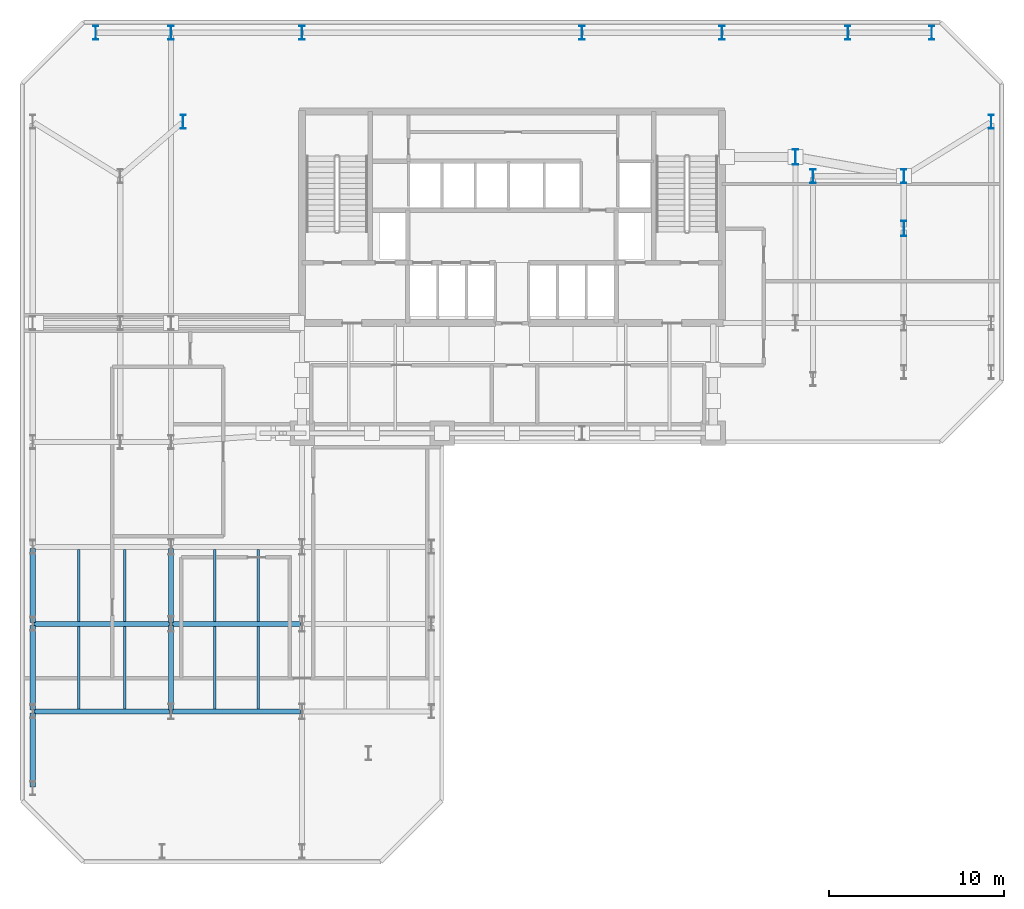
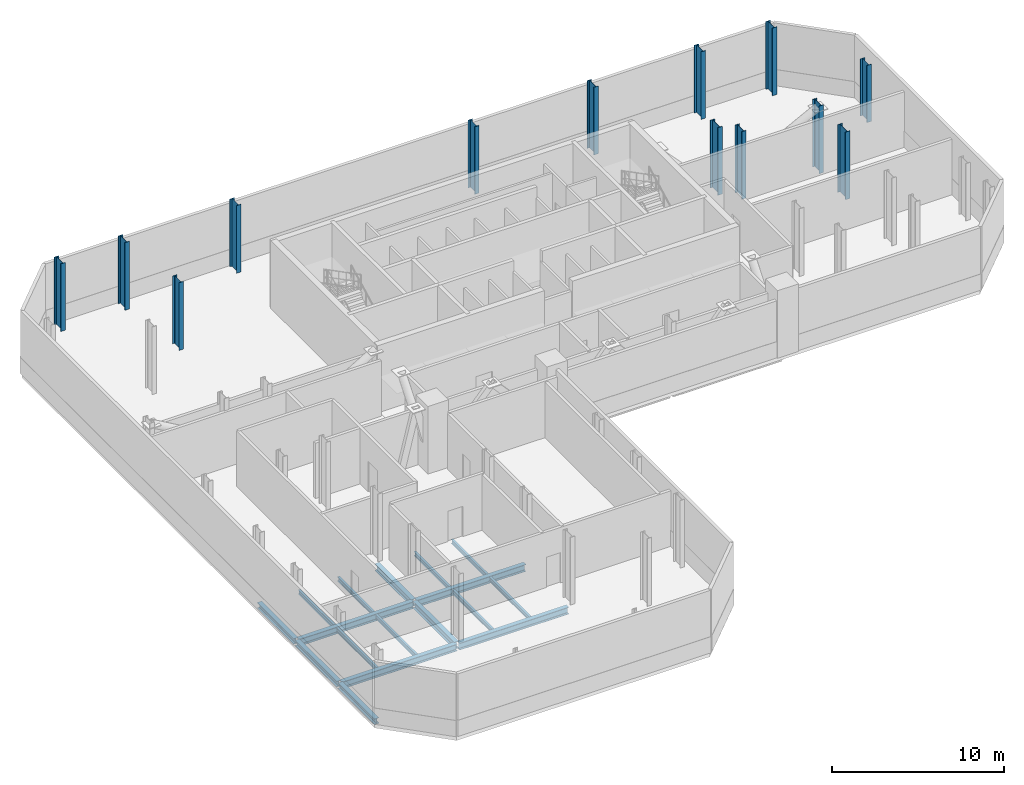
# One storey, part 2 of 8: 17 beams, 13 columns.
"""IFC4 building model written with IfcOpenShell, lengths in metres."""

from ifc_helpers import new_model, si_unit, direction, frame, origin, origin_2d, place, context, subcontext, project, spatial, i_section, extrude, material, material_profile, profile_set, type_object, element, save


model = new_model("IFC4")

# Units and contexts
model_context = context("Model", 3, precision=1e-05, world=origin(), true_north=direction((0.0, 1.0)))
body_context = subcontext(model_context, "Body", "Model", "MODEL_VIEW")
ifc_project = project(units=[si_unit("LENGTHUNIT", "METRE"), si_unit("AREAUNIT", "SQUARE_METRE"), si_unit("VOLUMEUNIT", "CUBIC_METRE"), si_unit("PLANEANGLEUNIT", "RADIAN"), si_unit("MASSUNIT", "GRAM", prefix="KILO")], contexts=[model_context])

# Site, building, storey
site_placement = place(None, origin())
site = spatial("IfcSite", under=ifc_project, at=site_placement, CompositionType="ELEMENT")
building_placement = place(site_placement, origin())
building = spatial("IfcBuilding", under=site, at=building_placement, Name="Catumbela Crestline Tower", CompositionType="ELEMENT")
storey_placement = place(building_placement, frame((0.0, 0.0, 79.8)))
storey = spatial("IfcBuildingStorey", under=building, at=storey_placement, Name="L20", CompositionType="ELEMENT", Elevation=79.8)

# Columns
ifc_material_1 = material(Name="Structural steel S460M", Category="steel")
ifc_material_profile_1 = material_profile(ifc_material_1, i_section(OverallWidth=0.3, OverallDepth=0.8, WebThickness=0.0175, FlangeThickness=0.033, FilletRadius=0.03, at=origin_2d()), Name="HEB 800")
ifc_profile_set_1 = profile_set([ifc_material_profile_1], Name="Structural steel S460M")
column_type_1 = type_object("IfcColumnType", Name="C-ST-HEB800", PredefinedType="COLUMN", material=ifc_profile_set_1)
for number, where, z_axis, x_axis, name in (
    (1, (9.2, 42.3, 0.0), (0.0, 0.0, 1.0), (1.0, 0.0, 0.0), "L20 Column C-08-43 (HEB 800)"),
    (2, (45.2, 39.2, 0.0), (0.0, 0.0, 1.0), (1.0, 0.0, 0.0), "L20 Column C-46-43 (HEB 800)"),
    (3, (4.2, 47.4, 0.0), (0.0, 0.0, 1.0), (1.0, 0.0, 0.0), "L20 Column C-00-48 (HEB 800)"),
    (4, (8.5, 47.4, 0.0), (0.0, 0.0, 1.0), (1.0, 0.0, 0.0), "L20 Column C-08-48 (HEB 800)"),
    (5, (16.0, 47.4, 0.0), (0.0, 0.0, 1.0), (1.0, 0.0, 0.0), "L20 Column C-16-48 (HEB 800)"),
    (6, (32.0, 47.4, 0.0), (0.0, 0.0, 1.0), (1.0, 0.0, 0.0), "L20 Column C-32-48 (HEB 800)"),
    (7, (40.0, 47.4, 0.0), (0.0, 0.0, 1.0), (1.0, 0.0, 0.0), "L20 Column C-40-48 (HEB 800)"),
    (8, (47.2, 47.4, 0.0), (0.0, 0.0, 1.0), (1.0, 0.0, 0.0), "L20 Column C-48-48 (HEB 800)"),
    (9, (50.4, 39.2, 0.0), (0.0, 0.0, 1.0), (1.0, 0.0, 0.0), "L20 Column C-51-43 (HEB 800)"),
):
    element("IfcColumn", number, at=place(storey_placement, frame(where, z_axis=z_axis, x_axis=x_axis)), inside=storey, type_object=column_type_1, Name=name, PredefinedType="COLUMN", context=body_context, shape_type="SweptSolid", body=[
        extrude(i_section(OverallWidth=0.3, OverallDepth=0.8, WebThickness=0.0175, FlangeThickness=0.033, FilletRadius=0.03, at=origin_2d()), origin(), (0.0, 0.0, 1.0), 4.8),
    ])
column_1_placement = place(storey_placement, frame((55.4, 42.3, 0.0), z_axis=(0.0, 0.0, 1.0), x_axis=(1.0, 0.0, 0.0)))
element("IfcColumn", 10, at=column_1_placement, inside=storey, type_object=column_type_1, Name="L20 Column C-56-43 (HEB 800)", PredefinedType="COLUMN", context=body_context, shape_type="SweptSolid", body=[
    extrude(i_section(OverallWidth=0.3, OverallDepth=0.8, WebThickness=0.0175, FlangeThickness=0.033, FilletRadius=0.03, at=origin_2d()), origin(), (0.0, 0.0, 1.0), 4.05),
])
column_2_placement = place(storey_placement, frame((52.0, 47.4, 0.0), z_axis=(0.0, 0.0, 1.0), x_axis=(1.0, 0.0, 0.0)))
element("IfcColumn", 11, at=column_2_placement, inside=storey, type_object=column_type_1, Name="L20 Column C-56-48 (HEB 800)", PredefinedType="COLUMN", context=body_context, shape_type="SweptSolid", body=[
    extrude(i_section(OverallWidth=0.3, OverallDepth=0.8, WebThickness=0.0175, FlangeThickness=0.033, FilletRadius=0.03, at=origin_2d()), origin(), (0.0, 0.0, 1.0), 4.8),
])
ifc_material_profile_2 = material_profile(ifc_material_1, i_section(OverallWidth=0.3, OverallDepth=0.9, WebThickness=0.0185, FlangeThickness=0.035, FilletRadius=0.03, at=origin_2d()), Name="HEB 900")
ifc_profile_set_2 = profile_set([ifc_material_profile_2], Name="Structural steel S460M")
column_type_2 = type_object("IfcColumnType", Name="C-ST-HEB900", PredefinedType="COLUMN", material=ifc_profile_set_2)
for number, where, z_axis, x_axis, name in (
    (12, (44.2, 40.3, 0.0), (0.0, 0.0, 1.0), (1.0, 0.0, 0.0), "L20 Column CT-46-37 (HEB 900)"),
    (13, (50.4, 36.2, 0.0), (0.0, 0.0, 1.0), (1.0, 0.0, 0.0), "L20 Column CT-51-37 (HEB 900)"),
):
    element("IfcColumn", number, at=place(storey_placement, frame(where, z_axis=z_axis, x_axis=x_axis)), inside=storey, type_object=column_type_2, Name=name, PredefinedType="COLUMN", context=body_context, shape_type="SweptSolid", body=[
        extrude(i_section(OverallWidth=0.3, OverallDepth=0.9, WebThickness=0.0185, FlangeThickness=0.035, FilletRadius=0.03, at=origin_2d()), origin(), (0.0, 0.0, 1.0), 4.8),
    ])

# Beams
ifc_material_2 = material(Name="Structural steel S355J2", Category="steel")
ifc_material_profile_3 = material_profile(ifc_material_2, i_section(OverallWidth=0.3, OverallDepth=0.49, WebThickness=0.012, FlangeThickness=0.023, FilletRadius=0.027, at=origin_2d()), Name="HEA 500")
ifc_profile_set_3 = profile_set([ifc_material_profile_3], Name="Structural steel S355J2")
beam_type_1 = type_object("IfcBeamType", Name="BG-HEA500", PredefinedType="BEAM", material=ifc_profile_set_3)
beam_1_placement = place(storey_placement, frame((0.68, 8.6, -0.595), z_axis=(1.0, 0.0, 0.0), x_axis=(0.0, 1.0, 0.0)))
element("IfcBeam", 14, at=beam_1_placement, inside=storey, type_object=beam_type_1, Name="L20 Beam BM-L20-WEW48", PredefinedType="BEAM", context=body_context, shape_type="SweptSolid", body=[
    extrude(i_section(OverallWidth=0.3, OverallDepth=0.49, WebThickness=0.012, FlangeThickness=0.023, FilletRadius=0.027, at=origin_2d()), origin(), (0.0, 0.0, 1.0), 7.74),
])
beam_2_placement = place(storey_placement, frame((8.58, 8.6, -0.595), z_axis=(1.0, 0.0, 0.0), x_axis=(0.0, 1.0, 0.0)))
element("IfcBeam", 15, at=beam_2_placement, inside=storey, type_object=beam_type_1, Name="L20 Beam BM-L20-WEW49", PredefinedType="BEAM", context=body_context, shape_type="SweptSolid", body=[
    extrude(i_section(OverallWidth=0.3, OverallDepth=0.49, WebThickness=0.012, FlangeThickness=0.023, FilletRadius=0.027, at=origin_2d()), origin(), (0.0, 0.0, 1.0), 7.34),
])
beam_3_placement = place(storey_placement, frame((0.68, 13.6, -0.595), z_axis=(1.0, 0.0, 0.0), x_axis=(0.0, 1.0, 0.0)))
element("IfcBeam", 16, at=beam_3_placement, inside=storey, type_object=beam_type_1, Name="L20 Beam BM-L20-WEW51", PredefinedType="BEAM", context=body_context, shape_type="SweptSolid", body=[
    extrude(i_section(OverallWidth=0.3, OverallDepth=0.49, WebThickness=0.012, FlangeThickness=0.023, FilletRadius=0.027, at=origin_2d()), origin(), (0.0, 0.0, 1.0), 7.74),
])
beam_4_placement = place(storey_placement, frame((8.58, 13.6, -0.595), z_axis=(1.0, 0.0, 0.0), x_axis=(0.0, 1.0, 0.0)))
element("IfcBeam", 17, at=beam_4_placement, inside=storey, type_object=beam_type_1, Name="L20 Beam BM-L20-WEW52", PredefinedType="BEAM", context=body_context, shape_type="SweptSolid", body=[
    extrude(i_section(OverallWidth=0.3, OverallDepth=0.49, WebThickness=0.012, FlangeThickness=0.023, FilletRadius=0.027, at=origin_2d()), origin(), (0.0, 0.0, 1.0), 7.34),
])
beam_5_placement = place(storey_placement, frame((8.5, 8.68, -0.595), z_axis=(0.0, 1.0, 0.0), x_axis=(-1.0, 0.0, 0.0)))
element("IfcBeam", 18, at=beam_5_placement, inside=storey, type_object=beam_type_1, Name="L20 Beam BM-L20-WNS61", PredefinedType="BEAM", context=body_context, shape_type="SweptSolid", body=[
    extrude(i_section(OverallWidth=0.3, OverallDepth=0.49, WebThickness=0.012, FlangeThickness=0.023, FilletRadius=0.027, at=origin_2d()), origin(), (0.0, 0.0, 1.0), 4.84),
])
beam_6_placement = place(storey_placement, frame((8.5, 13.68, -0.595), z_axis=(0.0, 1.0, 0.0), x_axis=(-1.0, 0.0, 0.0)))
element("IfcBeam", 19, at=beam_6_placement, inside=storey, type_object=beam_type_1, Name="L20 Beam BM-L20-WNS62", PredefinedType="BEAM", context=body_context, shape_type="SweptSolid", body=[
    extrude(i_section(OverallWidth=0.3, OverallDepth=0.49, WebThickness=0.012, FlangeThickness=0.023, FilletRadius=0.027, at=origin_2d()), origin(), (0.0, 0.0, 1.0), 4.24),
])
ifc_material_profile_4 = material_profile(ifc_material_2, i_section(OverallWidth=0.15, OverallDepth=0.3, WebThickness=0.0071, FlangeThickness=0.0107, FilletRadius=0.015, at=origin_2d()), Name="IPE 300")
ifc_profile_set_4 = profile_set([ifc_material_profile_4], Name="Structural steel S355J2")
beam_type_2 = type_object("IfcBeamType", Name="BJ-IPE300", PredefinedType="JOIST", material=ifc_profile_set_4)
for number, where, z_axis, x_axis, name in (
    (20, (3.233, 8.747, -0.5), (0.0, 1.0, 0.0), (-1.0, 0.0, 0.0), "L20 Joist JS-L20-WG70"),
    (21, (5.867, 8.747, -0.5), (0.0, 1.0, 0.0), (-1.0, 0.0, 0.0), "L20 Joist JS-L20-WG71"),
    (22, (11.0, 8.747, -0.5), (0.0, 1.0, 0.0), (-1.0, 0.0, 0.0), "L20 Joist JS-L20-WG72"),
    (23, (13.5, 8.747, -0.5), (0.0, 1.0, 0.0), (-1.0, 0.0, 0.0), "L20 Joist JS-L20-WG73"),
):
    element("IfcBeam", number, at=place(storey_placement, frame(where, z_axis=z_axis, x_axis=x_axis)), inside=storey, type_object=beam_type_2, Name=name, PredefinedType="JOIST", context=body_context, shape_type="SweptSolid", body=[
        extrude(i_section(OverallWidth=0.15, OverallDepth=0.3, WebThickness=0.0071, FlangeThickness=0.0107, FilletRadius=0.015, at=origin_2d()), origin(), (0.0, 0.0, 1.0), 4.706),
    ])
for number, where, z_axis, x_axis, name in (
    (24, (3.233, 13.747, -0.5), (0.0, 1.0, 0.0), (-1.0, 0.0, 0.0), "L20 Joist JS-L20-WG76"),
    (25, (5.867, 13.747, -0.5), (0.0, 1.0, 0.0), (-1.0, 0.0, 0.0), "L20 Joist JS-L20-WG77"),
    (26, (11.0, 13.747, -0.5), (0.0, 1.0, 0.0), (-1.0, 0.0, 0.0), "L20 Joist JS-L20-WG78"),
    (27, (13.5, 13.747, -0.5), (0.0, 1.0, 0.0), (-1.0, 0.0, 0.0), "L20 Joist JS-L20-WG79"),
):
    element("IfcBeam", number, at=place(storey_placement, frame(where, z_axis=z_axis, x_axis=x_axis)), inside=storey, type_object=beam_type_2, Name=name, PredefinedType="JOIST", context=body_context, shape_type="SweptSolid", body=[
        extrude(i_section(OverallWidth=0.15, OverallDepth=0.3, WebThickness=0.0071, FlangeThickness=0.0107, FilletRadius=0.015, at=origin_2d()), origin(), (0.0, 0.0, 1.0), 4.106),
    ])
ifc_material_profile_5 = material_profile(ifc_material_2, i_section(OverallWidth=0.3, OverallDepth=0.4, WebThickness=0.0135, FlangeThickness=0.024, FilletRadius=0.027, at=origin_2d()), Name="HEB 400")
ifc_profile_set_5 = profile_set([ifc_material_profile_5], Name="Structural steel S355J2")
beam_type_3 = type_object("IfcBeamType", Name="BS-HEB400", PredefinedType="SPANDREL", material=ifc_profile_set_5)
beam_7_placement = place(storey_placement, frame((0.6, 4.28, -0.55), z_axis=(0.0, 1.0, 0.0), x_axis=(-1.0, 0.0, 0.0)))
element("IfcBeam", 28, at=beam_7_placement, inside=storey, type_object=beam_type_3, Name="L20 Spandrel SP-L20-WNS57", PredefinedType="SPANDREL", context=body_context, shape_type="SweptSolid", body=[
    extrude(i_section(OverallWidth=0.3, OverallDepth=0.4, WebThickness=0.0135, FlangeThickness=0.024, FilletRadius=0.027, at=origin_2d()), origin(), (0.0, 0.0, 1.0), 4.24),
])
beam_8_placement = place(storey_placement, frame((0.6, 8.68, -0.55), z_axis=(0.0, 1.0, 0.0), x_axis=(-1.0, 0.0, 0.0)))
element("IfcBeam", 29, at=beam_8_placement, inside=storey, type_object=beam_type_3, Name="L20 Spandrel SP-L20-WNS58", PredefinedType="SPANDREL", context=body_context, shape_type="SweptSolid", body=[
    extrude(i_section(OverallWidth=0.3, OverallDepth=0.4, WebThickness=0.0135, FlangeThickness=0.024, FilletRadius=0.027, at=origin_2d()), origin(), (0.0, 0.0, 1.0), 4.84),
])
beam_9_placement = place(storey_placement, frame((0.6, 13.68, -0.55), z_axis=(0.0, 1.0, 0.0), x_axis=(-1.0, 0.0, 0.0)))
element("IfcBeam", 30, at=beam_9_placement, inside=storey, type_object=beam_type_3, Name="L20 Spandrel SP-L20-WNS59", PredefinedType="SPANDREL", context=body_context, shape_type="SweptSolid", body=[
    extrude(i_section(OverallWidth=0.3, OverallDepth=0.4, WebThickness=0.0135, FlangeThickness=0.024, FilletRadius=0.027, at=origin_2d()), origin(), (0.0, 0.0, 1.0), 4.24),
])

save(model, "model.ifc")
